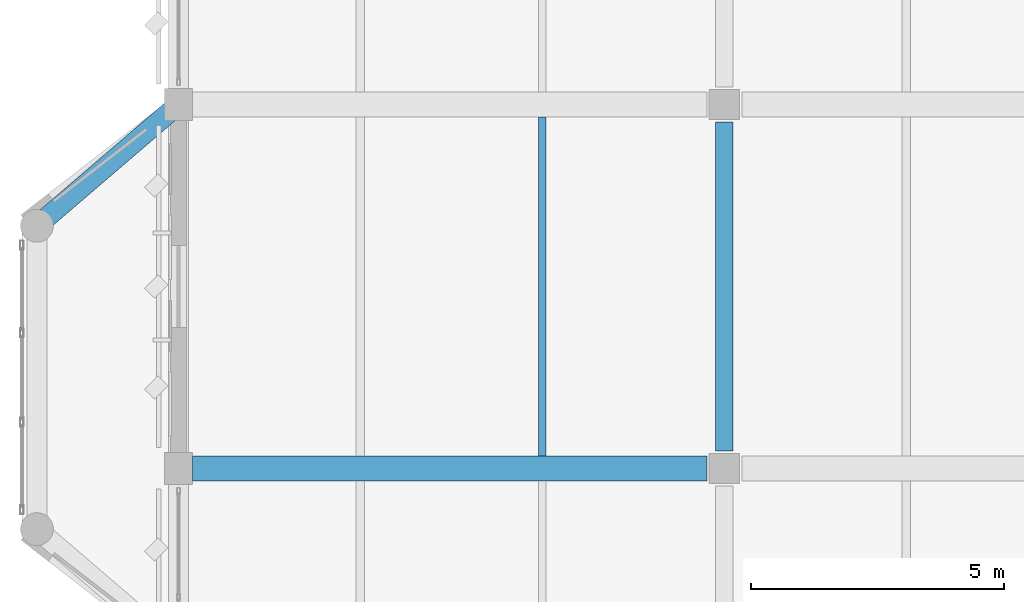
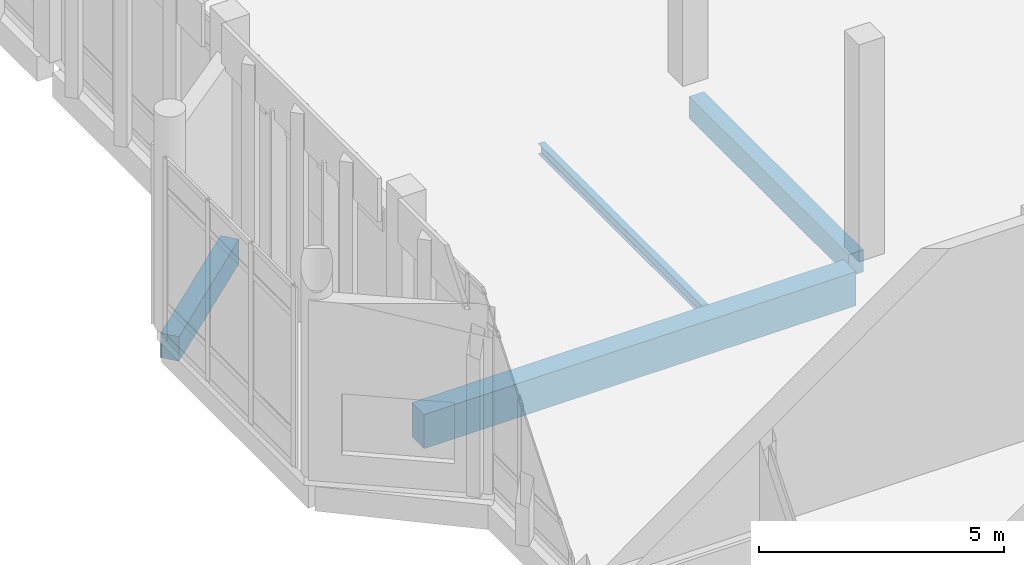
# One storey, part 59 of 180: 4 beams.
"""IFC4 building model written with IfcOpenShell, lengths in metres."""

from ifc_helpers import new_model, si_unit, direction, frame, origin, origin_2d, place, context, subcontext, project, spatial, rectangle, i_section, extrude, material, material_profile, profile_set, type_object, element, save


model = new_model("IFC4")

# Units and contexts
model_context = context("Model", 3, precision=1e-05, world=origin(), true_north=direction((0.0, 1.0)))
body_context = subcontext(model_context, "Body", "Model", "MODEL_VIEW")
ifc_project = project(units=[si_unit("LENGTHUNIT", "METRE"), si_unit("AREAUNIT", "SQUARE_METRE"), si_unit("VOLUMEUNIT", "CUBIC_METRE"), si_unit("PLANEANGLEUNIT", "RADIAN"), si_unit("MASSUNIT", "GRAM", prefix="KILO")], contexts=[model_context])

# Site, building, storey
site_placement = place(None, origin())
site = spatial("IfcSite", under=ifc_project, at=site_placement, CompositionType="ELEMENT")
building_placement = place(site_placement, origin())
building = spatial("IfcBuilding", under=site, at=building_placement, Name="Lusvemor Sports Hall", CompositionType="ELEMENT")
storey_placement = place(building_placement, frame((0.0, 0.0, 5.39990234375)))
storey = spatial("IfcBuildingStorey", under=building, at=storey_placement, Name="L01", CompositionType="ELEMENT", Elevation=5.39990234375)

# Beams
ifc_material_1 = material(Name="Concrete C40/50", Category="concrete")
ifc_material_profile_1 = material_profile(ifc_material_1, rectangle(XDim=0.35009765625, YDim=0.550048828125, at=origin_2d()), Name="RC350x550")
ifc_profile_set_1 = profile_set([ifc_material_profile_1], Name="Concrete C40/50")
beam_type_1 = type_object("IfcBeamType", Name="BEAM_RC_550", PredefinedType="BEAM", material=ifc_profile_set_1)
beam_1_placement = place(storey_placement, frame((10.800048828125, 83.14599609375, -0.534912109375), z_axis=(0.0, 1.0, 0.0), x_axis=(-1.0, 0.0, 0.0)))
element("IfcBeam", 1, at=beam_1_placement, inside=storey, type_object=beam_type_1, Name="Beam L01 2:L-M", PredefinedType="BEAM", context=body_context, shape_type="SweptSolid", body=[
    extrude(rectangle(XDim=0.35009765625, YDim=0.550048828125, at=origin_2d()), origin(), (0.0, 0.0, 1.0), 6.508056640625),
])
ifc_material_2 = material(Name="Concrete C40/50", Category="concrete")
ifc_material_profile_2 = material_profile(ifc_material_2, rectangle(XDim=0.5, YDim=0.85009765625, at=origin_2d()), Name="RC500x850")
ifc_profile_set_2 = profile_set([ifc_material_profile_2], Name="Concrete C40/50")
beam_type_2 = type_object("IfcBeamType", Name="GIRD_RC_850", PredefinedType="T_BEAM", material=ifc_profile_set_2)
beam_2_placement = place(storey_placement, frame((0.27587890625, 82.800048828125, -0.684814453125), z_axis=(1.0, 0.0, 0.0), x_axis=(0.0, 1.0, 0.0)))
element("IfcBeam", 2, at=beam_2_placement, inside=storey, type_object=beam_type_2, Name="Beam L01 L:1-2", PredefinedType="T_BEAM", context=body_context, shape_type="SweptSolid", body=[
    extrude(rectangle(XDim=0.5, YDim=0.85009765625, at=origin_2d()), origin(), (0.0, 0.0, 1.0), 10.17822265625),
])
ifc_material_3 = material(Name="Steel S355", Category="steel")
ifc_material_profile_3 = material_profile(ifc_material_3, i_section(OverallWidth=0.14794921875, OverallDepth=0.26611328125, WebThickness=0.007568359375, FlangeThickness=0.012939453125, FilletRadius=0.012939453125, at=origin_2d()), Name="W250x44.8")
ifc_profile_set_3 = profile_set([ifc_material_profile_3], Name="Steel S355")
beam_type_3 = type_object("IfcBeamType", Name="JOIST_ST_250M", PredefinedType="JOIST", material=ifc_profile_set_3)
beam_3_placement = place(storey_placement, frame((7.199951171875, 83.0458984375, -0.39697265625), z_axis=(0.0, 1.0, 0.0), x_axis=(-1.0, 0.0, 0.0)))
element("IfcBeam", 3, at=beam_3_placement, inside=storey, type_object=beam_type_3, Name="Secondary Joist L01 1-2/L-M #2", PredefinedType="JOIST", context=body_context, shape_type="SweptSolid", body=[
    extrude(i_section(OverallWidth=0.14794921875, OverallDepth=0.26611328125, WebThickness=0.007568359375, FlangeThickness=0.012939453125, FilletRadius=0.012939453125, at=origin_2d()), origin(), (0.0, 0.0, 1.0), 6.7080078125),
])
ifc_material_4 = material(Name="Concrete C40/50", Category="concrete")
ifc_material_profile_4 = material_profile(ifc_material_4, rectangle(XDim=0.39990234375, YDim=0.610107421875, at=origin_2d()), Name="RC400x610")
ifc_profile_set_4 = profile_set([ifc_material_profile_4], Name="Concrete C40/50")
beam_type_4 = type_object("IfcBeamType", Name="SPAND_EXT_650", PredefinedType="SPANDREL", material=ifc_profile_set_4)
beam_4_placement = place(storey_placement, frame((-2.800048828125, 87.60009765625, -0.56494140625), z_axis=(0.759275294494, 0.650769565339, 0.0), x_axis=(-0.650769565339, 0.759275294494, 0.0)))
element("IfcBeam", 4, at=beam_4_placement, inside=storey, type_object=beam_type_4, Name="Bow Pavilion Edge Beam BOW-W2 L01-3", PredefinedType="SPANDREL", context=body_context, shape_type="SweptSolid", body=[
    extrude(rectangle(XDim=0.39990234375, YDim=0.610107421875, at=origin_2d()), origin(), (0.0, 0.0, 1.0), 3.687744140625),
])

save(model, "model.ifc")
